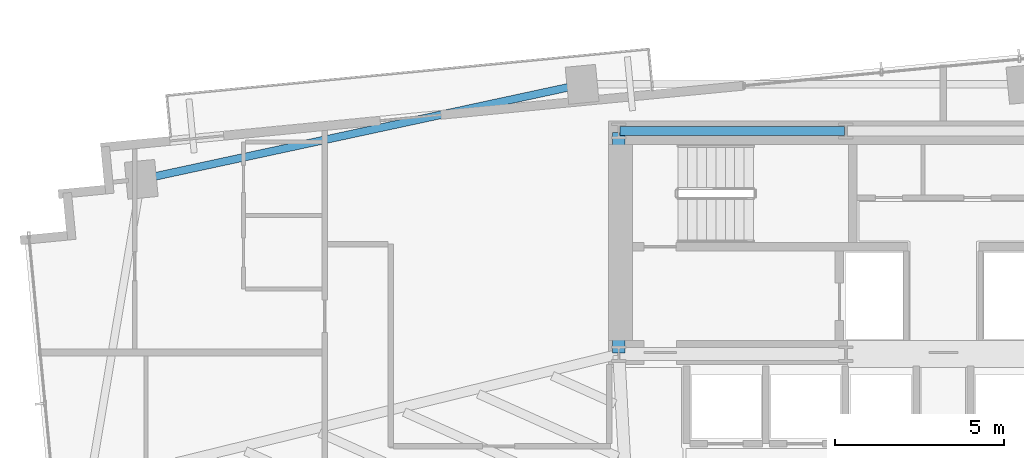
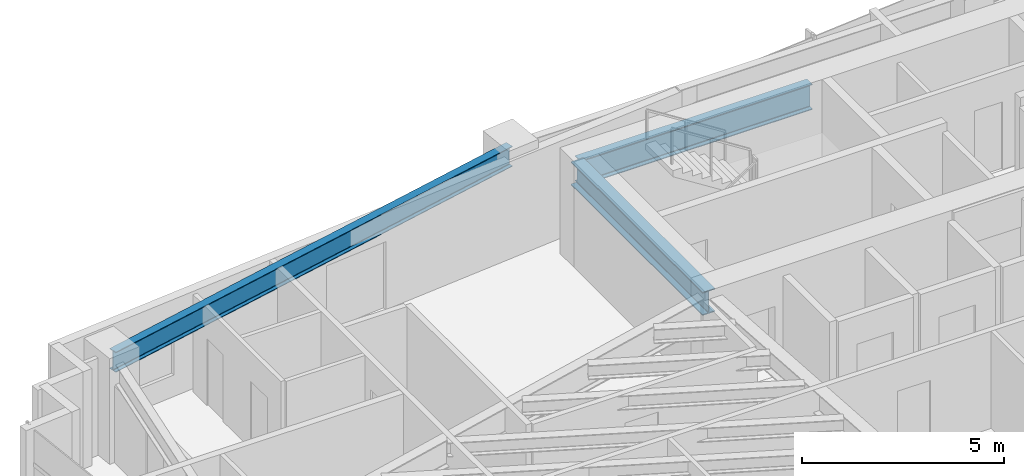
# One storey, part 9 of 27: 3 beams.
"""IFC4 building model written with IfcOpenShell, lengths in metres."""

from ifc_helpers import new_model, si_unit, direction, frame, origin, origin_2d, place, context, subcontext, project, spatial, i_section, extrude, source, transform, mapped, material, material_profile, profile_set, type_object, type_shapes, element, save


model = new_model("IFC4")

# Units and contexts
model_context = context("Model", 3, precision=1e-05, world=origin(), true_north=direction((0.0, 1.0)))
body_context = subcontext(model_context, "Body", "Model", "MODEL_VIEW")
ifc_project = project(units=[si_unit("LENGTHUNIT", "METRE"), si_unit("AREAUNIT", "SQUARE_METRE"), si_unit("VOLUMEUNIT", "CUBIC_METRE"), si_unit("PLANEANGLEUNIT", "RADIAN"), si_unit("MASSUNIT", "GRAM", prefix="KILO")], contexts=[model_context])

# Site, building, storey
site_placement = place(None, origin())
site = spatial("IfcSite", under=ifc_project, at=site_placement, CompositionType="ELEMENT")
building_placement = place(site_placement, origin())
building = spatial("IfcBuilding", under=site, at=building_placement, Name="Astriad Promenade Condominiums", CompositionType="ELEMENT")
storey_placement = place(building_placement, frame((0.0, 0.0, 87.39990234375)))
storey = spatial("IfcBuildingStorey", under=building, at=storey_placement, Name="L24", CompositionType="ELEMENT", Elevation=87.39990234375)

# Beams
ifc_material = material(Name="Steel ASTM A992 Grade 50", Category="steel")
ifc_material_profile_1 = material_profile(ifc_material, i_section(OverallWidth=0.267822265625, OverallDepth=0.76953125, WebThickness=0.015625, FlangeThickness=0.025390625, FilletRadius=0.021484375, at=origin_2d()), Name="W30X132")
ifc_profile_set_1 = profile_set([ifc_material_profile_1], Name="Steel ASTM A992 Grade 50")
beam_type_1 = type_object("IfcBeamType", Name="STEEL FLOOR GIRDER W30X132", PredefinedType="BEAM", material=ifc_profile_set_1)
shared_shape_1 = source(origin(), body_context, "Body", "SweptSolid", [
    extrude(i_section(OverallWidth=0.267822265625, OverallDepth=0.76953125, WebThickness=0.015625, FlangeThickness=0.025390625, FilletRadius=0.021484375, at=origin_2d()), origin(), (0.0, 0.0, 1.0), 6.64013671875),
])
type_shapes(beam_type_1, [shared_shape_1])
beam_1_placement = place(storey_placement, frame((26.43994140625, 24.0, 2.55517578125), z_axis=(1.0, 0.0, 0.0), x_axis=(0.0, 1.0, 0.0)))
element("IfcBeam", 1, at=beam_1_placement, inside=storey, type_object=beam_type_1, Name="Core Ring Beam CG-N1-L24", PredefinedType="BEAM", context=body_context, shape_type="MappedRepresentation", body=[
    mapped(shared_shape_1, transform((0.0, 0.0, 0.0), scale=1.0)),
])
ifc_material_profile_2 = material_profile(ifc_material, i_section(OverallWidth=0.35791015625, OverallDepth=0.706298828125, WebThickness=0.018310546875, FlangeThickness=0.0302734375, FilletRadius=0.020263671875, at=origin_2d()), Name="W27X178")
ifc_profile_set_2 = profile_set([ifc_material_profile_2], Name="Steel ASTM A992 Grade 50")
beam_type_2 = type_object("IfcBeamType", Name="STEEL FLOOR GIRDER W27X178", PredefinedType="BEAM", material=ifc_profile_set_2)
shared_shape_2 = source(origin(), body_context, "Body", "SweptSolid", [
    extrude(i_section(OverallWidth=0.35791015625, OverallDepth=0.706298828125, WebThickness=0.018310546875, FlangeThickness=0.0302734375, FilletRadius=0.020263671875, at=origin_2d()), origin(), (0.0, 0.0, 1.0), 6.52001953125),
])
type_shapes(beam_type_2, [shared_shape_2])
beam_2_placement = place(storey_placement, frame((26.39990234375, 17.43994140625, 2.5869140625), z_axis=(0.0, 1.0, 0.0), x_axis=(-1.0, 0.0, 0.0)))
element("IfcBeam", 2, at=beam_2_placement, inside=storey, type_object=beam_type_2, Name="Core Ring Beam CG-W1-L24", PredefinedType="BEAM", context=body_context, shape_type="MappedRepresentation", body=[
    mapped(shared_shape_2, transform((0.0, 0.0, 0.0), scale=1.0)),
])
ifc_material_profile_3 = material_profile(ifc_material, i_section(OverallWidth=0.22900390625, OverallDepth=0.612060546875, WebThickness=0.011962890625, FlangeThickness=0.01953125, FilletRadius=0.017822265625, at=origin_2d()), Name="W24X84")
ifc_profile_set_3 = profile_set([ifc_material_profile_3], Name="Steel ASTM A992 Grade 50")
beam_type_3 = type_object("IfcBeamType", Name="STEEL SPANDREL BEAM W24X84", PredefinedType="SPANDREL", material=ifc_profile_set_3)
shared_shape_3 = source(origin(), body_context, "Body", "SweptSolid", [
    extrude(i_section(OverallWidth=0.22900390625, OverallDepth=0.612060546875, WebThickness=0.011962890625, FlangeThickness=0.01953125, FilletRadius=0.017822265625, at=origin_2d()), origin(), (0.0, 0.0, 1.0), 13.25927734375),
])
type_shapes(beam_type_3, [shared_shape_3])
beam_3_placement = place(storey_placement, frame((25.27587890625, 25.37158203125, 2.634033203125), z_axis=(-0.977531608864, -0.210788884127, 0.0), x_axis=(0.210788884127, -0.977531608864, 0.0)))
element("IfcBeam", 3, at=beam_3_placement, inside=storey, type_object=beam_type_3, Name="Perimeter Spandrel Beam SP-N1-L24", PredefinedType="SPANDREL", context=body_context, shape_type="MappedRepresentation", body=[
    mapped(shared_shape_3, transform((0.0, 0.0, 0.0), scale=1.0)),
])

save(model, "model.ifc")
